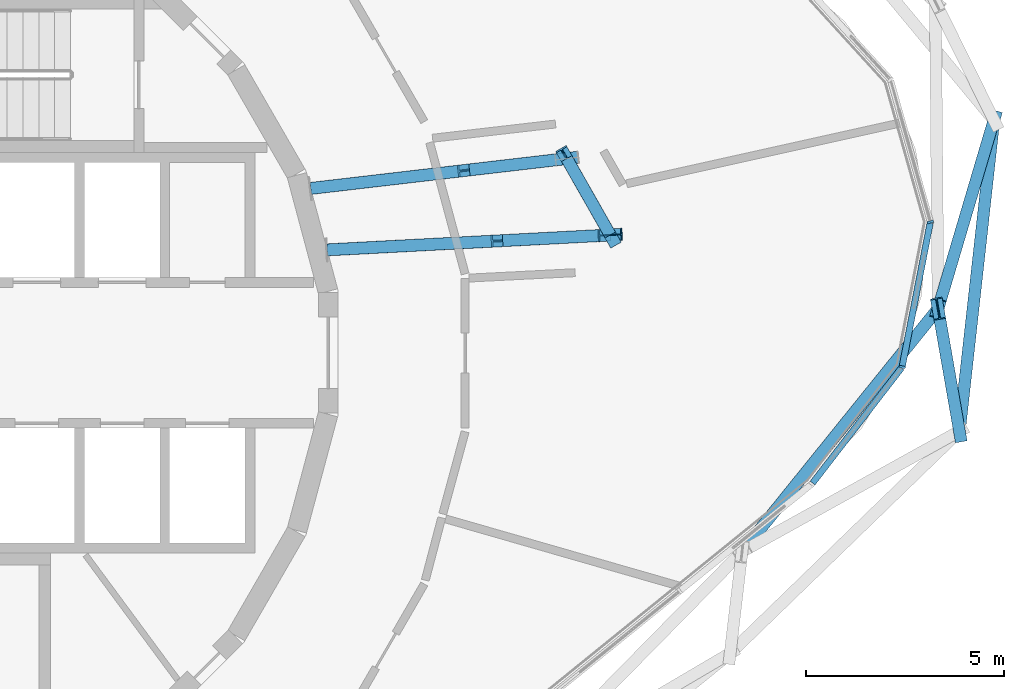
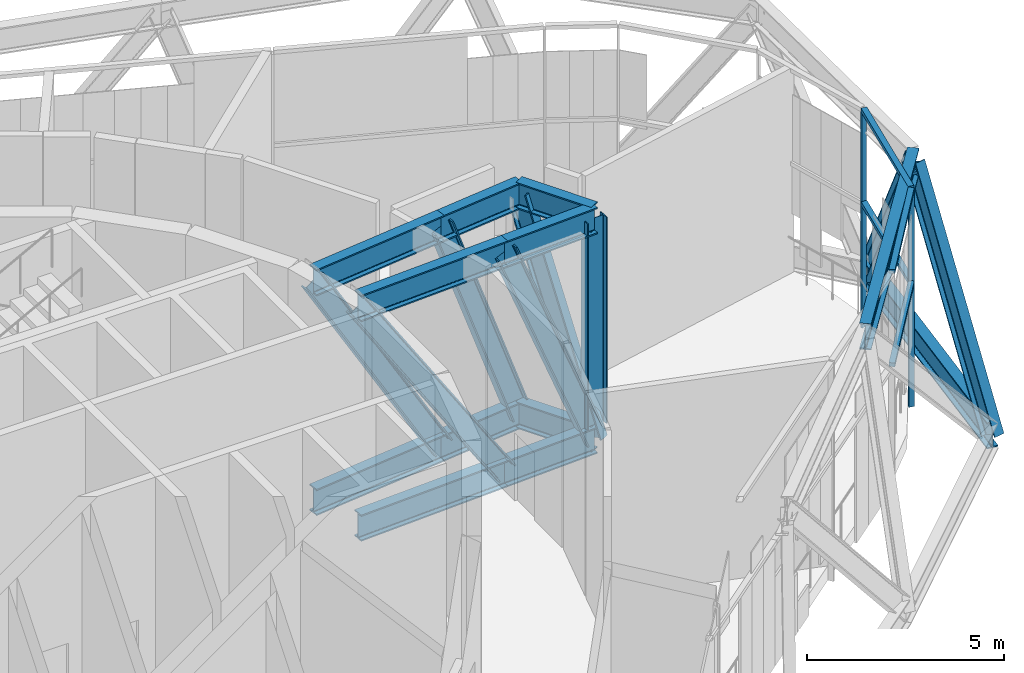
# One storey, part 5 of 25: 26 members, 1 element without a shape of its own.
"""IFC4 building model written with IfcOpenShell, lengths in metres."""

from ifc_helpers import new_model, si_unit, direction, frame, origin, origin_2d, place, context, subcontext, project, spatial, rectangle, i_section, extrude, material, layer, layer_set, material_profile, profile_set, type_object, element, aggregate, save


model = new_model("IFC4")

# Units and contexts
model_context = context("Model", 3, precision=1e-05, world=origin(), true_north=direction((0.0, 1.0)))
body_context = subcontext(model_context, "Body", "Model", "MODEL_VIEW")
ifc_project = project(units=[si_unit("LENGTHUNIT", "METRE"), si_unit("AREAUNIT", "SQUARE_METRE"), si_unit("VOLUMEUNIT", "CUBIC_METRE"), si_unit("PLANEANGLEUNIT", "RADIAN"), si_unit("MASSUNIT", "GRAM", prefix="KILO")], contexts=[model_context])

# Site, building, storey
site_placement = place(None, origin())
site = spatial("IfcSite", under=ifc_project, at=site_placement, CompositionType="ELEMENT")
building_placement = place(site_placement, origin())
building = spatial("IfcBuilding", under=site, at=building_placement, Name="Spindle Arch Residences", CompositionType="ELEMENT")
storey_placement = place(building_placement, frame((0.0, 0.0, 291.39990234375)))
storey = spatial("IfcBuildingStorey", under=building, at=storey_placement, Name="L75", CompositionType="ELEMENT", Elevation=291.39990234375)

# Members
ifc_material_1 = material(Name="Steel S460ML, intumescent coating R 240", Category="steel")
ifc_material_profile_1 = material_profile(ifc_material_1, i_section(OverallWidth=0.302978515625, OverallDepth=0.81396484375, WebThickness=0.02099609375, FlangeThickness=0.0400390625, FilletRadius=0.030029296875, at=origin_2d()), Name="HEM 800")
ifc_profile_set_1 = profile_set([ifc_material_profile_1], Name="Steel S460ML, intumescent coating R 240")
member_type_1 = type_object("IfcMemberType", Name="Belt truss chord HEM 800", PredefinedType="CHORD", material=ifc_profile_set_1)
member_1_placement = place(storey_placement, frame((27.56494140625, -1.975830078125, -0.85693359375), z_axis=(0.110258354404, 0.993902960698, 0.0), x_axis=(-0.993902960698, 0.110258354404, 0.0)))
element("IfcMember", 1, at=member_1_placement, inside=storey, type_object=member_type_1, Name="Belt truss bottom chord L75.3", PredefinedType="CHORD", context=body_context, shape_type="SweptSolid", body=[
    extrude(i_section(OverallWidth=0.302978515625, OverallDepth=0.81396484375, WebThickness=0.02099609375, FlangeThickness=0.0400390625, FilletRadius=0.030029296875, at=origin_2d()), origin(), (0.0, 0.0, 1.0), 7.8916015625),
])
member_2_placement = place(storey_placement, frame((22.083251953125, -5.01318359375, 5.943115234375), z_axis=(0.627968850292, 0.778238474417, 0.0), x_axis=(-0.778238474417, 0.627968850292, 0.0)))
element("IfcMember", 2, at=member_2_placement, inside=storey, type_object=member_type_1, Name="Belt truss top chord L75.2", PredefinedType="CHORD", context=body_context, shape_type="SweptSolid", body=[
    extrude(i_section(OverallWidth=0.302978515625, OverallDepth=0.81396484375, WebThickness=0.02099609375, FlangeThickness=0.0400390625, FilletRadius=0.030029296875, at=origin_2d()), origin(), (0.0, 0.0, 1.0), 7.87158203125),
])
ifc_material_2 = material(Name="Steel S460ML, intumescent coating R 240", Category="steel")
ifc_material_profile_2 = material_profile(ifc_material_2, i_section(OverallWidth=0.300048828125, OverallDepth=0.60009765625, WebThickness=0.015380859375, FlangeThickness=0.030029296875, FilletRadius=0.027099609375, at=origin_2d()), Name="HEB 600")
ifc_profile_set_2 = profile_set([ifc_material_profile_2], Name="Steel S460ML, intumescent coating R 240")
member_type_2 = type_object("IfcMemberType", Name="Belt truss diagonal HEB 600", PredefinedType="BRACE", material=ifc_profile_set_2)
member_3_placement = place(storey_placement, frame((27.56494140625, -1.975830078125, -0.85693359375), z_axis=(-0.071924863822, 0.412475726299, 0.908124765205), x_axis=(-0.9851350722, -0.171781516819, 0.0)))
element("IfcMember", 3, at=member_3_placement, inside=storey, type_object=member_type_2, Name="Belt truss diagonal L75.3.3", PredefinedType="BRACE", context=body_context, shape_type="SweptSolid", body=[
    extrude(i_section(OverallWidth=0.300048828125, OverallDepth=0.60009765625, WebThickness=0.015380859375, FlangeThickness=0.030029296875, FilletRadius=0.027099609375, at=origin_2d()), origin(), (0.0, 0.0, 1.0), 7.488037109375),
])
member_4_placement = place(storey_placement, frame((28.43505859375, 5.86767578125, -0.85693359375), z_axis=(-0.16737670893, -0.564961660854, 0.807962473802), x_axis=(0.958807051889, -0.284058158215, 0.0)))
element("IfcMember", 4, at=member_4_placement, inside=storey, type_object=member_type_2, Name="Belt truss diagonal L75.3.4", PredefinedType="BRACE", context=body_context, shape_type="SweptSolid", body=[
    extrude(i_section(OverallWidth=0.300048828125, OverallDepth=0.60009765625, WebThickness=0.015380859375, FlangeThickness=0.030029296875, FilletRadius=0.027099609375, at=origin_2d()), origin(), (0.0, 0.0, 1.0), 8.416259765625),
])

# Curtain wall, members
ifc_material_3 = material(Name="Aluminium bronze unitised frame with tinted glass", Category="aluminium")
ifc_layer = layer(ifc_material_3, 0.159912109375)
ifc_layer_set = layer_set([ifc_layer], Name="CW-E double-height winter garden wall")
curtain_wall_type = type_object("IfcCurtainWallType", Name="CW-E double-height winter garden wall", PredefinedType="NOTDEFINED", material=ifc_layer_set)
curtain_wall_placement = place(storey_placement, origin())
curtain_wall = element("IfcCurtainWall", 5, at=curtain_wall_placement, inside=storey, type_object=curtain_wall_type, Name="CW-E L75 run 1", PredefinedType="NOTDEFINED")
ifc_material_4 = material(Name="Aluminium bronze anodised mullion", Category="aluminium")
ifc_material_profile_3 = material_profile(ifc_material_4, rectangle(XDim=0.159912109375, YDim=0.06005859375, at=origin_2d()), Name="MU 60x160")
ifc_profile_set_3 = profile_set([ifc_material_profile_3], Name="Aluminium bronze anodised mullion")
member_type_3 = type_object("IfcMemberType", Name="Bronze mullion 60x160", PredefinedType="MULLION", material=ifc_profile_set_3)
member_5_placement = place(storey_placement, frame((26.12158203125, -0.358154296875, -0.449951171875), z_axis=(0.0, 0.0, 1.0), x_axis=(-0.981627183558, 0.190808994811, 0.0)))
member_5 = element("IfcMember", 6, at=member_5_placement, type_object=member_type_3, Name="CW-E mullion 02", PredefinedType="MULLION", context=body_context, shape_type="SweptSolid", body=[
    extrude(rectangle(XDim=0.159912109375, YDim=0.06005859375, at=origin_2d()), origin(), (0.0, 0.0, 1.0), 6.679931640625),
])
member_6_placement = place(storey_placement, frame((26.832763671875, 3.300048828125, -0.449951171875), z_axis=(0.0, 0.0, 1.0), x_axis=(-0.962849012696, -0.270040328007, 0.0)))
member_6 = element("IfcMember", 7, at=member_6_placement, type_object=member_type_3, Name="CW-E mullion 03", PredefinedType="MULLION", context=body_context, shape_type="SweptSolid", body=[
    extrude(rectangle(XDim=0.159912109375, YDim=0.06005859375, at=origin_2d()), origin(), (0.0, 0.0, 1.0), 6.679931640625),
])
ifc_material_5 = material(Name="Aluminium bronze anodised transom", Category="aluminium")
ifc_material_profile_4 = material_profile(ifc_material_5, rectangle(XDim=0.159912109375, YDim=0.1201171875, at=origin_2d()), Name="TR 120x160")
ifc_profile_set_4 = profile_set([ifc_material_profile_4], Name="Aluminium bronze anodised transom")
member_type_4 = type_object("IfcMemberType", Name="Bronze transom 120x160", PredefinedType="USERDEFINED", material=ifc_profile_set_4)
member_7_placement = place(storey_placement, frame((23.862548828125, -3.284423828125, 6.2900390625), z_axis=(0.611074135379, 0.791573370617, 0.0), x_axis=(-0.791573370617, 0.611074135379, 0.0)))
member_7 = element("IfcMember", 8, at=member_7_placement, type_object=member_type_4, Name="CW-E transom 01", ObjectType="TRANSOM", PredefinedType="USERDEFINED", context=body_context, shape_type="SweptSolid", body=[
    extrude(rectangle(XDim=0.159912109375, YDim=0.1201171875, at=origin_2d()), origin(), (0.0, 0.0, 1.0), 3.666748046875),
])
member_8_placement = place(storey_placement, frame((23.862548828125, -3.284423828125, 3.400146484375), z_axis=(0.611074135379, 0.791573370617, 0.0), x_axis=(-0.791573370617, 0.611074135379, 0.0)))
member_8 = element("IfcMember", 9, at=member_8_placement, type_object=member_type_4, Name="CW-E transom 01m", ObjectType="TRANSOM", PredefinedType="USERDEFINED", context=body_context, shape_type="SweptSolid", body=[
    extrude(rectangle(XDim=0.159912109375, YDim=0.1201171875, at=origin_2d()), origin(), (0.0, 0.0, 1.0), 3.666748046875),
])
member_9_placement = place(storey_placement, frame((26.127197265625, -0.32861328125, 6.2900390625), z_axis=(0.190825105639, 0.981624051793, 0.0), x_axis=(-0.981624051793, 0.190825105639, 0.0)))
member_9 = element("IfcMember", 10, at=member_9_placement, type_object=member_type_4, Name="CW-E transom 02", ObjectType="TRANSOM", PredefinedType="USERDEFINED", context=body_context, shape_type="SweptSolid", body=[
    extrude(rectangle(XDim=0.159912109375, YDim=0.1201171875, at=origin_2d()), origin(), (0.0, 0.0, 1.0), 3.666748046875),
])
member_10_placement = place(storey_placement, frame((26.127197265625, -0.32861328125, 3.400146484375), z_axis=(0.190825105639, 0.981624051793, 0.0), x_axis=(-0.981624051793, 0.190825105639, 0.0)))
member_10 = element("IfcMember", 11, at=member_10_placement, type_object=member_type_4, Name="CW-E transom 02m", ObjectType="TRANSOM", PredefinedType="USERDEFINED", context=body_context, shape_type="SweptSolid", body=[
    extrude(rectangle(XDim=0.159912109375, YDim=0.1201171875, at=origin_2d()), origin(), (0.0, 0.0, 1.0), 3.666748046875),
])
aggregate(curtain_wall, [member_7, member_8, member_5, member_9, member_10, member_6])

# Members
ifc_material_6 = material(Name="Steel S460ML, intumescent coating R 240", Category="steel")
ifc_material_profile_5 = material_profile(ifc_material_6, i_section(OverallWidth=0.302978515625, OverallDepth=0.81396484375, WebThickness=0.02099609375, FlangeThickness=0.0400390625, FilletRadius=0.030029296875, at=origin_2d()), Name="HEM 800")
ifc_profile_set_5 = profile_set([ifc_material_profile_5], Name="Steel S460ML, intumescent coating R 240")
member_type_5 = type_object("IfcMemberType", Name="Transfer truss chord HEM 800", PredefinedType="CHORD", material=ifc_profile_set_5)
for number, where, z_axis, x_axis, name in (
    (12, (11.62158203125, 2.595947265625, -0.85693359375), (0.998620871318, 0.052501003496, 0.0), (-0.052501003496, 0.998620871318, 0.0), "Transfer truss chord L75"),
    (13, (11.62158203125, 2.595947265625, 5.943115234375), (0.998620871318, 0.052501003496, 0.0), (-0.052501003496, 0.998620871318, 0.0), "Transfer truss chord L75"),
):
    element("IfcMember", number, at=place(storey_placement, frame(where, z_axis=z_axis, x_axis=x_axis)), inside=storey, type_object=member_type_5, Name=name, PredefinedType="CHORD", context=body_context, shape_type="SweptSolid", body=[
        extrude(i_section(OverallWidth=0.302978515625, OverallDepth=0.81396484375, WebThickness=0.02099609375, FlangeThickness=0.0400390625, FilletRadius=0.030029296875, at=origin_2d()), origin(), (0.0, 0.0, 1.0), 4.431640625),
    ])
for number, where, z_axis, x_axis, name in (
    (14, (16.047119140625, 2.82861328125, -0.85693359375), (0.99862130336, 0.052492784983, 0.0), (-0.052492784983, 0.99862130336, 0.0), "Transfer truss chord L75"),
    (15, (16.047119140625, 2.82861328125, 5.943115234375), (0.99862130336, 0.052492784983, 0.0), (-0.052492784983, 0.99862130336, 0.0), "Transfer truss chord L75"),
):
    element("IfcMember", number, at=place(storey_placement, frame(where, z_axis=z_axis, x_axis=x_axis)), inside=storey, type_object=member_type_5, Name=name, PredefinedType="CHORD", context=body_context, shape_type="SweptSolid", body=[
        extrude(i_section(OverallWidth=0.302978515625, OverallDepth=0.81396484375, WebThickness=0.02099609375, FlangeThickness=0.0400390625, FilletRadius=0.030029296875, at=origin_2d()), origin(), (0.0, 0.0, 1.0), 2.716064453125),
    ])
for number, where, z_axis, x_axis, name in (
    (16, (18.759521484375, 2.97119140625, -0.85693359375), (-0.494703503065, 0.869061818316, 0.0), (-0.869061818316, -0.494703503065, 0.0), "Transfer truss chord L75"),
    (17, (18.759521484375, 2.97119140625, 5.943115234375), (-0.494703503065, 0.869061818316, 0.0), (-0.869061818316, -0.494703503065, 0.0), "Transfer truss chord L75"),
):
    element("IfcMember", number, at=place(storey_placement, frame(where, z_axis=z_axis, x_axis=x_axis)), inside=storey, type_object=member_type_5, Name=name, PredefinedType="CHORD", context=body_context, shape_type="SweptSolid", body=[
        extrude(i_section(OverallWidth=0.302978515625, OverallDepth=0.81396484375, WebThickness=0.02099609375, FlangeThickness=0.0400390625, FilletRadius=0.030029296875, at=origin_2d()), origin(), (0.0, 0.0, 1.0), 2.21728515625),
    ])
for number, where, z_axis, x_axis, name in (
    (18, (11.206298828125, 4.1455078125, -0.85693359375), (0.993269180792, 0.115828901785, 0.0), (-0.115828901785, 0.993269180792, 0.0), "Transfer truss chord L75"),
    (19, (11.206298828125, 4.1455078125, 5.943115234375), (0.993269180792, 0.115828901785, 0.0), (-0.115828901785, 0.993269180792, 0.0), "Transfer truss chord L75"),
):
    element("IfcMember", number, at=place(storey_placement, frame(where, z_axis=z_axis, x_axis=x_axis)), inside=storey, type_object=member_type_5, Name=name, PredefinedType="CHORD", context=body_context, shape_type="SweptSolid", body=[
        extrude(i_section(OverallWidth=0.302978515625, OverallDepth=0.81396484375, WebThickness=0.02099609375, FlangeThickness=0.0400390625, FilletRadius=0.030029296875, at=origin_2d()), origin(), (0.0, 0.0, 1.0), 4.030029296875),
    ])
for number, where, z_axis, x_axis, name in (
    (20, (15.209228515625, 4.6123046875, -0.85693359375), (0.993278867966, 0.115745801014, 0.0), (-0.115745801014, 0.993278867966, 0.0), "Transfer truss chord L75"),
    (21, (15.209228515625, 4.6123046875, 5.943115234375), (0.993278867966, 0.115745801014, 0.0), (-0.115745801014, 0.993278867966, 0.0), "Transfer truss chord L75"),
):
    element("IfcMember", number, at=place(storey_placement, frame(where, z_axis=z_axis, x_axis=x_axis)), inside=storey, type_object=member_type_5, Name=name, PredefinedType="CHORD", context=body_context, shape_type="SweptSolid", body=[
        extrude(i_section(OverallWidth=0.302978515625, OverallDepth=0.81396484375, WebThickness=0.02099609375, FlangeThickness=0.0400390625, FilletRadius=0.030029296875, at=origin_2d()), origin(), (0.0, 0.0, 1.0), 2.469970703125),
    ])
ifc_material_7 = material(Name="Steel S460ML, intumescent coating R 240", Category="steel")
ifc_material_profile_6 = material_profile(ifc_material_7, i_section(OverallWidth=0.304931640625, OverallDepth=0.6201171875, WebThickness=0.02099609375, FlangeThickness=0.0400390625, FilletRadius=0.027099609375, at=origin_2d()), Name="HEM 600")
ifc_profile_set_6 = profile_set([ifc_material_profile_6], Name="Steel S460ML, intumescent coating R 240")
member_type_6 = type_object("IfcMemberType", Name="Transfer truss diagonal HEM 600", PredefinedType="BRACE", material=ifc_profile_set_6)
member_11_placement = place(storey_placement, frame((16.047119140625, 2.82861328125, -0.85693359375), z_axis=(-0.545241131778, -0.02866523962, 0.837789002229), x_axis=(0.052501003496, -0.998620871318, 0.0)))
element("IfcMember", 22, at=member_11_placement, inside=storey, type_object=member_type_6, Name="Transfer truss diagonal L75", PredefinedType="BRACE", context=body_context, shape_type="SweptSolid", body=[
    extrude(i_section(OverallWidth=0.304931640625, OverallDepth=0.6201171875, WebThickness=0.02099609375, FlangeThickness=0.0400390625, FilletRadius=0.027099609375, at=origin_2d()), origin(), (0.0, 0.0, 1.0), 8.11669921875),
])
member_12_placement = place(storey_placement, frame((18.759521484375, 2.97119140625, -0.85693359375), z_axis=(-0.370423323176, -0.019471397006, 0.928658939733), x_axis=(0.052492784983, -0.99862130336, 0.0)))
element("IfcMember", 23, at=member_12_placement, inside=storey, type_object=member_type_6, Name="Transfer truss diagonal L75", PredefinedType="BRACE", context=body_context, shape_type="SweptSolid", body=[
    extrude(i_section(OverallWidth=0.304931640625, OverallDepth=0.6201171875, WebThickness=0.02099609375, FlangeThickness=0.0400390625, FilletRadius=0.027099609375, at=origin_2d()), origin(), (0.0, 0.0, 1.0), 7.322509765625),
])
member_13_placement = place(storey_placement, frame((18.759521484375, 2.97119140625, -0.85693359375), z_axis=(-0.153363816405, 0.269419230554, 0.950732779505), x_axis=(-0.869061818316, -0.494703503065, 0.0)))
element("IfcMember", 24, at=member_13_placement, inside=storey, type_object=member_type_6, Name="Transfer truss diagonal L75", PredefinedType="BRACE", context=body_context, shape_type="SweptSolid", body=[
    extrude(i_section(OverallWidth=0.304931640625, OverallDepth=0.6201171875, WebThickness=0.02099609375, FlangeThickness=0.0400390625, FilletRadius=0.027099609375, at=origin_2d()), origin(), (0.0, 0.0, 1.0), 7.15234375),
])
member_14_placement = place(storey_placement, frame((15.209228515625, 4.6123046875, -0.85693359375), z_axis=(-0.506407894655, -0.059054153122, 0.860269522435), x_axis=(0.115828901785, -0.993269180792, 0.0)))
element("IfcMember", 25, at=member_14_placement, inside=storey, type_object=member_type_6, Name="Transfer truss diagonal L75", PredefinedType="BRACE", context=body_context, shape_type="SweptSolid", body=[
    extrude(i_section(OverallWidth=0.304931640625, OverallDepth=0.6201171875, WebThickness=0.02099609375, FlangeThickness=0.0400390625, FilletRadius=0.027099609375, at=origin_2d()), origin(), (0.0, 0.0, 1.0), 7.904541015625),
])
member_15_placement = place(storey_placement, frame((17.66259765625, 4.898193359375, -0.85693359375), z_axis=(-0.339109660668, -0.039516112314, 0.939916546779), x_axis=(0.115745801014, -0.993278867966, 0.0)))
element("IfcMember", 26, at=member_15_placement, inside=storey, type_object=member_type_6, Name="Transfer truss diagonal L75", PredefinedType="BRACE", context=body_context, shape_type="SweptSolid", body=[
    extrude(i_section(OverallWidth=0.304931640625, OverallDepth=0.6201171875, WebThickness=0.02099609375, FlangeThickness=0.0400390625, FilletRadius=0.027099609375, at=origin_2d()), origin(), (0.0, 0.0, 1.0), 7.234619140625),
])
ifc_material_8 = material(Name="Steel S460ML, intumescent coating R 240", Category="steel")
ifc_material_profile_7 = material_profile(ifc_material_8, i_section(OverallWidth=0.300048828125, OverallDepth=0.60009765625, WebThickness=0.015380859375, FlangeThickness=0.030029296875, FilletRadius=0.027099609375, at=origin_2d()), Name="HEB 600")
ifc_profile_set_7 = profile_set([ifc_material_profile_7], Name="Steel S460ML, intumescent coating R 240")
member_type_7 = type_object("IfcMemberType", Name="Transfer truss post HEB 600", PredefinedType="POST", material=ifc_profile_set_7)
member_16_placement = place(storey_placement, frame((18.759521484375, 2.97119140625, -0.449951171875), z_axis=(0.0, 0.0, 1.0), x_axis=(0.052512407665, -0.998620271696, 0.0)))
element("IfcMember", 27, at=member_16_placement, inside=storey, type_object=member_type_7, Name="Transfer truss post L75", PredefinedType="POST", context=body_context, shape_type="SweptSolid", body=[
    extrude(i_section(OverallWidth=0.300048828125, OverallDepth=0.60009765625, WebThickness=0.015380859375, FlangeThickness=0.030029296875, FilletRadius=0.027099609375, at=origin_2d()), origin(), (0.0, 0.0, 1.0), 6.39306640625),
])

save(model, "model.ifc")
